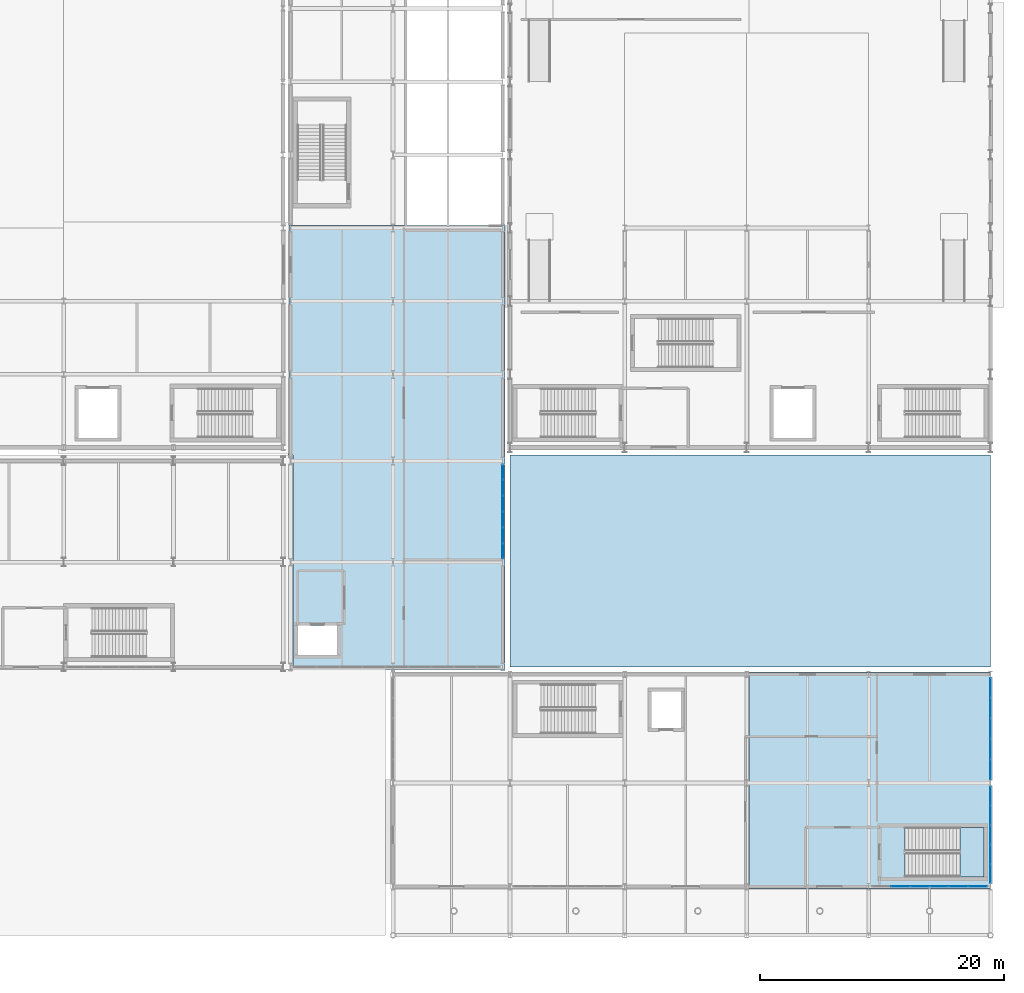
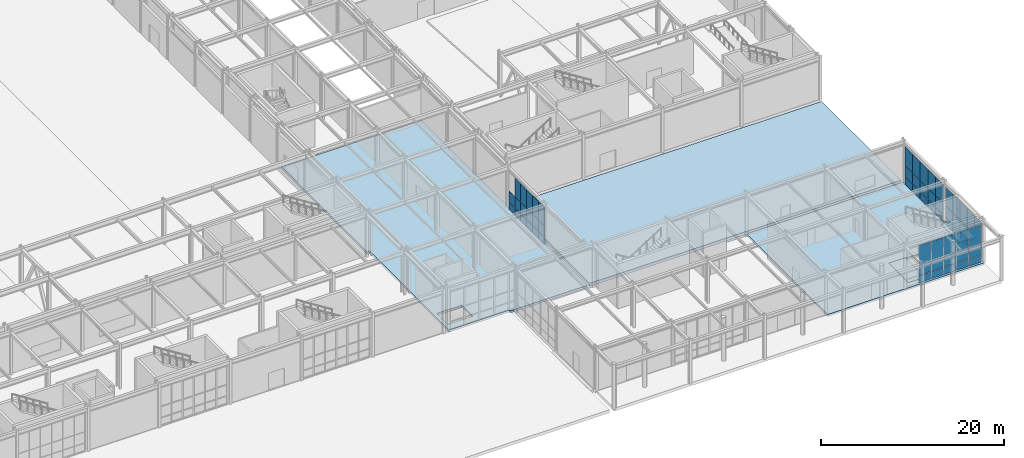
# One storey, part 112 of 146: 62 plates, 5 slabs, 5 elements without a shape of their own.
"""IFC4 building model written with IfcOpenShell, lengths in metres."""

from ifc_helpers import new_model, si_unit, direction, frame, origin, origin_2d, place, context, subcontext, project, spatial, polyline, rectangle, outline, extrude, material, layer, layer_set, type_object, element, aggregate, save


model = new_model("IFC4")

# Units and contexts
model_context = context("Model", 3, precision=1e-05, world=origin(), true_north=direction((0.0, 1.0)))
body_context = subcontext(model_context, "Body", "Model", "MODEL_VIEW")
ifc_project = project(units=[si_unit("LENGTHUNIT", "METRE"), si_unit("AREAUNIT", "SQUARE_METRE"), si_unit("VOLUMEUNIT", "CUBIC_METRE"), si_unit("PLANEANGLEUNIT", "RADIAN"), si_unit("MASSUNIT", "GRAM", prefix="KILO")], contexts=[model_context])

# Site, building, storey
site_placement = place(None, origin())
site = spatial("IfcSite", under=ifc_project, at=site_placement, CompositionType="ELEMENT")
building_placement = place(site_placement, origin())
building = spatial("IfcBuilding", under=site, at=building_placement, Name="Kaldris Quays Convention Centre", CompositionType="ELEMENT")
storey_placement = place(building_placement, origin())
storey = spatial("IfcBuildingStorey", under=building, at=storey_placement, Name="L00", CompositionType="ELEMENT", Elevation=0.0)

# Curtain wall, plates
ifc_material_1 = material(Name="Anodized aluminium AW-6060 and triple glazing", Category="aluminium")
curtain_wall_type_1 = type_object("IfcCurtainWallType", Name="UNITISED CURTAIN WALL CW01", PredefinedType="NOTDEFINED", material=ifc_material_1)
curtain_wall_1_placement = place(storey_placement, origin())
curtain_wall_1 = element("IfcCurtainWall", 1, at=curtain_wall_1_placement, inside=storey, type_object=curtain_wall_type_1, Name="L00 Unitised Curtain Wall CW01 181", PredefinedType="NOTDEFINED")
ifc_material_2 = material(Name="Triple low-E insulated glazing", Category="glass")
plate_type_1 = type_object("IfcPlateType", Name="CURTAIN GLAZING PANEL CWP5", PredefinedType="CURTAIN_PANEL", material=ifc_material_2)
plate_1_placement = place(storey_placement, frame((196.625, 20.0, 0.06005859375), z_axis=(0.0, 0.0, 1.0), x_axis=(1.0, 0.0, 0.0)))
plate_1 = element("IfcPlate", 2, at=plate_1_placement, type_object=plate_type_1, Name="CW01 panel 2.1", PredefinedType="CURTAIN_PANEL", context=body_context, shape_type="SweptSolid", body=[
    extrude(rectangle(XDim=1.5234375, YDim=0.049072265625, at=origin_2d()), origin(), (0.0, 0.0, 1.0), 0.9599609375),
])
plate_2_placement = place(storey_placement, frame((196.625, 20.0, 1.080078125), z_axis=(0.0, 0.0, 1.0), x_axis=(1.0, 0.0, 0.0)))
plate_2 = element("IfcPlate", 3, at=plate_2_placement, type_object=plate_type_1, Name="CW01 panel 2.2", PredefinedType="CURTAIN_PANEL", context=body_context, shape_type="SweptSolid", body=[
    extrude(rectangle(XDim=1.5234375, YDim=0.049072265625, at=origin_2d()), origin(), (0.0, 0.0, 1.0), 1.43994140625),
])
plate_3_placement = place(storey_placement, frame((196.625, 20.0, 2.580078125), z_axis=(0.0, 0.0, 1.0), x_axis=(1.0, 0.0, 0.0)))
plate_3 = element("IfcPlate", 4, at=plate_3_placement, type_object=plate_type_1, Name="CW01 panel 2.3", PredefinedType="CURTAIN_PANEL", context=body_context, shape_type="SweptSolid", body=[
    extrude(rectangle(XDim=1.5234375, YDim=0.049072265625, at=origin_2d()), origin(), (0.0, 0.0, 1.0), 2.4599609375),
])
plate_4_placement = place(storey_placement, frame((198.208251953125, 20.0, 0.06005859375), z_axis=(0.0, 0.0, 1.0), x_axis=(1.0, 0.0, 0.0)))
plate_4 = element("IfcPlate", 5, at=plate_4_placement, type_object=plate_type_1, Name="CW01 panel 3.1", PredefinedType="CURTAIN_PANEL", context=body_context, shape_type="SweptSolid", body=[
    extrude(rectangle(XDim=1.5234375, YDim=0.049072265625, at=origin_2d()), origin(), (0.0, 0.0, 1.0), 0.9599609375),
])
plate_5_placement = place(storey_placement, frame((198.208251953125, 20.0, 1.080078125), z_axis=(0.0, 0.0, 1.0), x_axis=(1.0, 0.0, 0.0)))
plate_5 = element("IfcPlate", 6, at=plate_5_placement, type_object=plate_type_1, Name="CW01 panel 3.2", PredefinedType="CURTAIN_PANEL", context=body_context, shape_type="SweptSolid", body=[
    extrude(rectangle(XDim=1.5234375, YDim=0.049072265625, at=origin_2d()), origin(), (0.0, 0.0, 1.0), 1.43994140625),
])
plate_6_placement = place(storey_placement, frame((198.208251953125, 20.0, 2.580078125), z_axis=(0.0, 0.0, 1.0), x_axis=(1.0, 0.0, 0.0)))
plate_6 = element("IfcPlate", 7, at=plate_6_placement, type_object=plate_type_1, Name="CW01 panel 3.3", PredefinedType="CURTAIN_PANEL", context=body_context, shape_type="SweptSolid", body=[
    extrude(rectangle(XDim=1.5234375, YDim=0.049072265625, at=origin_2d()), origin(), (0.0, 0.0, 1.0), 2.4599609375),
])
plate_7_placement = place(storey_placement, frame((199.791748046875, 20.0, 0.06005859375), z_axis=(0.0, 0.0, 1.0), x_axis=(1.0, 0.0, 0.0)))
plate_7 = element("IfcPlate", 8, at=plate_7_placement, type_object=plate_type_1, Name="CW01 panel 4.1", PredefinedType="CURTAIN_PANEL", context=body_context, shape_type="SweptSolid", body=[
    extrude(rectangle(XDim=1.5234375, YDim=0.049072265625, at=origin_2d()), origin(), (0.0, 0.0, 1.0), 0.9599609375),
])
plate_8_placement = place(storey_placement, frame((199.791748046875, 20.0, 1.080078125), z_axis=(0.0, 0.0, 1.0), x_axis=(1.0, 0.0, 0.0)))
plate_8 = element("IfcPlate", 9, at=plate_8_placement, type_object=plate_type_1, Name="CW01 panel 4.2", PredefinedType="CURTAIN_PANEL", context=body_context, shape_type="SweptSolid", body=[
    extrude(rectangle(XDim=1.5234375, YDim=0.049072265625, at=origin_2d()), origin(), (0.0, 0.0, 1.0), 1.43994140625),
])
plate_9_placement = place(storey_placement, frame((199.791748046875, 20.0, 2.580078125), z_axis=(0.0, 0.0, 1.0), x_axis=(1.0, 0.0, 0.0)))
plate_9 = element("IfcPlate", 10, at=plate_9_placement, type_object=plate_type_1, Name="CW01 panel 4.3", PredefinedType="CURTAIN_PANEL", context=body_context, shape_type="SweptSolid", body=[
    extrude(rectangle(XDim=1.5234375, YDim=0.049072265625, at=origin_2d()), origin(), (0.0, 0.0, 1.0), 2.4599609375),
])
plate_10_placement = place(storey_placement, frame((201.375, 20.0, 0.06005859375), z_axis=(0.0, 0.0, 1.0), x_axis=(1.0, 0.0, 0.0)))
plate_10 = element("IfcPlate", 11, at=plate_10_placement, type_object=plate_type_1, Name="CW01 panel 5.1", PredefinedType="CURTAIN_PANEL", context=body_context, shape_type="SweptSolid", body=[
    extrude(rectangle(XDim=1.5234375, YDim=0.049072265625, at=origin_2d()), origin(), (0.0, 0.0, 1.0), 0.9599609375),
])
plate_11_placement = place(storey_placement, frame((201.375, 20.0, 1.080078125), z_axis=(0.0, 0.0, 1.0), x_axis=(1.0, 0.0, 0.0)))
plate_11 = element("IfcPlate", 12, at=plate_11_placement, type_object=plate_type_1, Name="CW01 panel 5.2", PredefinedType="CURTAIN_PANEL", context=body_context, shape_type="SweptSolid", body=[
    extrude(rectangle(XDim=1.5234375, YDim=0.049072265625, at=origin_2d()), origin(), (0.0, 0.0, 1.0), 1.43994140625),
])
plate_12_placement = place(storey_placement, frame((201.375, 20.0, 2.580078125), z_axis=(0.0, 0.0, 1.0), x_axis=(1.0, 0.0, 0.0)))
plate_12 = element("IfcPlate", 13, at=plate_12_placement, type_object=plate_type_1, Name="CW01 panel 5.3", PredefinedType="CURTAIN_PANEL", context=body_context, shape_type="SweptSolid", body=[
    extrude(rectangle(XDim=1.5234375, YDim=0.049072265625, at=origin_2d()), origin(), (0.0, 0.0, 1.0), 2.4599609375),
])
plate_13_placement = place(storey_placement, frame((202.943359375, 20.0, 0.06005859375), z_axis=(0.0, 0.0, 1.0), x_axis=(1.0, 0.0, 0.0)))
plate_13 = element("IfcPlate", 14, at=plate_13_placement, type_object=plate_type_1, Name="CW01 panel 6.1", PredefinedType="CURTAIN_PANEL", context=body_context, shape_type="SweptSolid", body=[
    extrude(rectangle(XDim=1.493408203125, YDim=0.049072265625, at=origin_2d()), origin(), (0.0, 0.0, 1.0), 0.9599609375),
])
plate_14_placement = place(storey_placement, frame((202.943359375, 20.0, 1.080078125), z_axis=(0.0, 0.0, 1.0), x_axis=(1.0, 0.0, 0.0)))
plate_14 = element("IfcPlate", 15, at=plate_14_placement, type_object=plate_type_1, Name="CW01 panel 6.2", PredefinedType="CURTAIN_PANEL", context=body_context, shape_type="SweptSolid", body=[
    extrude(rectangle(XDim=1.493408203125, YDim=0.049072265625, at=origin_2d()), origin(), (0.0, 0.0, 1.0), 1.43994140625),
])
plate_15_placement = place(storey_placement, frame((202.943359375, 20.0, 2.580078125), z_axis=(0.0, 0.0, 1.0), x_axis=(1.0, 0.0, 0.0)))
plate_15 = element("IfcPlate", 16, at=plate_15_placement, type_object=plate_type_1, Name="CW01 panel 6.3", PredefinedType="CURTAIN_PANEL", context=body_context, shape_type="SweptSolid", body=[
    extrude(rectangle(XDim=1.493408203125, YDim=0.049072265625, at=origin_2d()), origin(), (0.0, 0.0, 1.0), 2.4599609375),
])
aggregate(curtain_wall_1, [plate_1, plate_2, plate_3, plate_4, plate_5, plate_6, plate_7, plate_8, plate_9, plate_10, plate_11, plate_12, plate_13, plate_14, plate_15])

curtain_wall_type_2 = type_object("IfcCurtainWallType", Name="UNITISED CURTAIN WALL CW02", PredefinedType="NOTDEFINED", material=ifc_material_1)
curtain_wall_2_placement = place(storey_placement, origin())
curtain_wall_2 = element("IfcCurtainWall", 17, at=curtain_wall_2_placement, inside=storey, type_object=curtain_wall_type_2, Name="L00 Unitised Curtain Wall CW02 182", PredefinedType="NOTDEFINED")
plate_type_2 = type_object("IfcPlateType", Name="CURTAIN GLAZING PANEL CWP6", PredefinedType="CURTAIN_PANEL", material=ifc_material_2)
plate_16_placement = place(storey_placement, frame((204.0, 21.06494140625, 0.06005859375), z_axis=(0.0, 0.0, 1.0), x_axis=(0.0, 1.0, 0.0)))
plate_16 = element("IfcPlate", 18, at=plate_16_placement, type_object=plate_type_2, Name="CW02 panel 1.1", PredefinedType="CURTAIN_PANEL", context=body_context, shape_type="SweptSolid", body=[
    extrude(rectangle(XDim=1.510009765625, YDim=0.053955078125, at=origin_2d()), origin(), (0.0, 0.0, 1.0), 0.9599609375),
])
plate_17_placement = place(storey_placement, frame((204.0, 21.06494140625, 1.080078125), z_axis=(0.0, 0.0, 1.0), x_axis=(0.0, 1.0, 0.0)))
plate_17 = element("IfcPlate", 19, at=plate_17_placement, type_object=plate_type_2, Name="CW02 panel 1.2", PredefinedType="CURTAIN_PANEL", context=body_context, shape_type="SweptSolid", body=[
    extrude(rectangle(XDim=1.510009765625, YDim=0.053955078125, at=origin_2d()), origin(), (0.0, 0.0, 1.0), 1.43994140625),
])
plate_18_placement = place(storey_placement, frame((204.0, 21.06494140625, 2.580078125), z_axis=(0.0, 0.0, 1.0), x_axis=(0.0, 1.0, 0.0)))
plate_18 = element("IfcPlate", 20, at=plate_18_placement, type_object=plate_type_2, Name="CW02 panel 1.3", PredefinedType="CURTAIN_PANEL", context=body_context, shape_type="SweptSolid", body=[
    extrude(rectangle(XDim=1.510009765625, YDim=0.053955078125, at=origin_2d()), origin(), (0.0, 0.0, 1.0), 2.4599609375),
])
plate_19_placement = place(storey_placement, frame((204.0, 22.64990234375, 0.06005859375), z_axis=(0.0, 0.0, 1.0), x_axis=(0.0, 1.0, 0.0)))
plate_19 = element("IfcPlate", 21, at=plate_19_placement, type_object=plate_type_2, Name="CW02 panel 2.1", PredefinedType="CURTAIN_PANEL", context=body_context, shape_type="SweptSolid", body=[
    extrude(rectangle(XDim=1.5400390625, YDim=0.053955078125, at=origin_2d()), origin(), (0.0, 0.0, 1.0), 0.9599609375),
])
plate_20_placement = place(storey_placement, frame((204.0, 22.64990234375, 1.080078125), z_axis=(0.0, 0.0, 1.0), x_axis=(0.0, 1.0, 0.0)))
plate_20 = element("IfcPlate", 22, at=plate_20_placement, type_object=plate_type_2, Name="CW02 panel 2.2", PredefinedType="CURTAIN_PANEL", context=body_context, shape_type="SweptSolid", body=[
    extrude(rectangle(XDim=1.5400390625, YDim=0.053955078125, at=origin_2d()), origin(), (0.0, 0.0, 1.0), 1.43994140625),
])
plate_21_placement = place(storey_placement, frame((204.0, 22.64990234375, 2.580078125), z_axis=(0.0, 0.0, 1.0), x_axis=(0.0, 1.0, 0.0)))
plate_21 = element("IfcPlate", 23, at=plate_21_placement, type_object=plate_type_2, Name="CW02 panel 2.3", PredefinedType="CURTAIN_PANEL", context=body_context, shape_type="SweptSolid", body=[
    extrude(rectangle(XDim=1.5400390625, YDim=0.053955078125, at=origin_2d()), origin(), (0.0, 0.0, 1.0), 2.4599609375),
])
plate_22_placement = place(storey_placement, frame((204.0, 24.25, 0.06005859375), z_axis=(0.0, 0.0, 1.0), x_axis=(0.0, 1.0, 0.0)))
plate_22 = element("IfcPlate", 24, at=plate_22_placement, type_object=plate_type_2, Name="CW02 panel 3.1", PredefinedType="CURTAIN_PANEL", context=body_context, shape_type="SweptSolid", body=[
    extrude(rectangle(XDim=1.5400390625, YDim=0.053955078125, at=origin_2d()), origin(), (0.0, 0.0, 1.0), 0.9599609375),
])
plate_23_placement = place(storey_placement, frame((204.0, 24.25, 1.080078125), z_axis=(0.0, 0.0, 1.0), x_axis=(0.0, 1.0, 0.0)))
plate_23 = element("IfcPlate", 25, at=plate_23_placement, type_object=plate_type_2, Name="CW02 panel 3.2", PredefinedType="CURTAIN_PANEL", context=body_context, shape_type="SweptSolid", body=[
    extrude(rectangle(XDim=1.5400390625, YDim=0.053955078125, at=origin_2d()), origin(), (0.0, 0.0, 1.0), 1.43994140625),
])
plate_24_placement = place(storey_placement, frame((204.0, 24.25, 2.580078125), z_axis=(0.0, 0.0, 1.0), x_axis=(0.0, 1.0, 0.0)))
plate_24 = element("IfcPlate", 26, at=plate_24_placement, type_object=plate_type_2, Name="CW02 panel 3.3", PredefinedType="CURTAIN_PANEL", context=body_context, shape_type="SweptSolid", body=[
    extrude(rectangle(XDim=1.5400390625, YDim=0.053955078125, at=origin_2d()), origin(), (0.0, 0.0, 1.0), 2.4599609375),
])
plate_25_placement = place(storey_placement, frame((204.0, 25.85009765625, 0.06005859375), z_axis=(0.0, 0.0, 1.0), x_axis=(0.0, 1.0, 0.0)))
plate_25 = element("IfcPlate", 27, at=plate_25_placement, type_object=plate_type_2, Name="CW02 panel 4.1", PredefinedType="CURTAIN_PANEL", context=body_context, shape_type="SweptSolid", body=[
    extrude(rectangle(XDim=1.5400390625, YDim=0.053955078125, at=origin_2d()), origin(), (0.0, 0.0, 1.0), 0.9599609375),
])
plate_26_placement = place(storey_placement, frame((204.0, 25.85009765625, 1.080078125), z_axis=(0.0, 0.0, 1.0), x_axis=(0.0, 1.0, 0.0)))
plate_26 = element("IfcPlate", 28, at=plate_26_placement, type_object=plate_type_2, Name="CW02 panel 4.2", PredefinedType="CURTAIN_PANEL", context=body_context, shape_type="SweptSolid", body=[
    extrude(rectangle(XDim=1.5400390625, YDim=0.053955078125, at=origin_2d()), origin(), (0.0, 0.0, 1.0), 1.43994140625),
])
plate_27_placement = place(storey_placement, frame((204.0, 25.85009765625, 2.580078125), z_axis=(0.0, 0.0, 1.0), x_axis=(0.0, 1.0, 0.0)))
plate_27 = element("IfcPlate", 29, at=plate_27_placement, type_object=plate_type_2, Name="CW02 panel 4.3", PredefinedType="CURTAIN_PANEL", context=body_context, shape_type="SweptSolid", body=[
    extrude(rectangle(XDim=1.5400390625, YDim=0.053955078125, at=origin_2d()), origin(), (0.0, 0.0, 1.0), 2.4599609375),
])
plate_28_placement = place(storey_placement, frame((204.0, 27.43505859375, 0.06005859375), z_axis=(0.0, 0.0, 1.0), x_axis=(0.0, 1.0, 0.0)))
plate_28 = element("IfcPlate", 30, at=plate_28_placement, type_object=plate_type_2, Name="CW02 panel 5.1", PredefinedType="CURTAIN_PANEL", context=body_context, shape_type="SweptSolid", body=[
    extrude(rectangle(XDim=1.510009765625, YDim=0.053955078125, at=origin_2d()), origin(), (0.0, 0.0, 1.0), 0.9599609375),
])
plate_29_placement = place(storey_placement, frame((204.0, 27.43505859375, 1.080078125), z_axis=(0.0, 0.0, 1.0), x_axis=(0.0, 1.0, 0.0)))
plate_29 = element("IfcPlate", 31, at=plate_29_placement, type_object=plate_type_2, Name="CW02 panel 5.2", PredefinedType="CURTAIN_PANEL", context=body_context, shape_type="SweptSolid", body=[
    extrude(rectangle(XDim=1.510009765625, YDim=0.053955078125, at=origin_2d()), origin(), (0.0, 0.0, 1.0), 1.43994140625),
])
plate_30_placement = place(storey_placement, frame((204.0, 27.43505859375, 2.580078125), z_axis=(0.0, 0.0, 1.0), x_axis=(0.0, 1.0, 0.0)))
plate_30 = element("IfcPlate", 32, at=plate_30_placement, type_object=plate_type_2, Name="CW02 panel 5.3", PredefinedType="CURTAIN_PANEL", context=body_context, shape_type="SweptSolid", body=[
    extrude(rectangle(XDim=1.510009765625, YDim=0.053955078125, at=origin_2d()), origin(), (0.0, 0.0, 1.0), 2.4599609375),
])
aggregate(curtain_wall_2, [plate_16, plate_17, plate_18, plate_19, plate_20, plate_21, plate_22, plate_23, plate_24, plate_25, plate_26, plate_27, plate_28, plate_29, plate_30])

curtain_wall_type_3 = type_object("IfcCurtainWallType", Name="UNITISED CURTAIN WALL CW04", PredefinedType="NOTDEFINED", material=ifc_material_1)
curtain_wall_3_placement = place(storey_placement, origin())
curtain_wall_3 = element("IfcCurtainWall", 33, at=curtain_wall_3_placement, inside=storey, type_object=curtain_wall_type_3, Name="L00 Unitised Curtain Wall CW04 136", PredefinedType="NOTDEFINED")
plate_type_3 = type_object("IfcPlateType", Name="CURTAIN GLAZING PANEL CWP8", PredefinedType="CURTAIN_PANEL", material=ifc_material_2)
plate_31_placement = place(storey_placement, frame((164.0, 47.514892578125, 0.06005859375), z_axis=(0.0, 0.0, 1.0), x_axis=(0.0, 1.0, 0.0)))
plate_31 = element("IfcPlate", 34, at=plate_31_placement, type_object=plate_type_3, Name="CW04 panel 1.1", PredefinedType="CURTAIN_PANEL", context=body_context, shape_type="SweptSolid", body=[
    extrude(rectangle(XDim=1.2099609375, YDim=0.06396484375, at=origin_2d()), origin(), (0.0, 0.0, 1.0), 0.9599609375),
])
plate_32_placement = place(storey_placement, frame((164.0, 47.514892578125, 1.080078125), z_axis=(0.0, 0.0, 1.0), x_axis=(0.0, 1.0, 0.0)))
plate_32 = element("IfcPlate", 35, at=plate_32_placement, type_object=plate_type_3, Name="CW04 panel 1.2", PredefinedType="CURTAIN_PANEL", context=body_context, shape_type="SweptSolid", body=[
    extrude(rectangle(XDim=1.2099609375, YDim=0.06396484375, at=origin_2d()), origin(), (0.0, 0.0, 1.0), 1.43896484375),
])
plate_33_placement = place(storey_placement, frame((164.0, 47.514892578125, 2.5791015625), z_axis=(0.0, 0.0, 1.0), x_axis=(0.0, 1.0, 0.0)))
plate_33 = element("IfcPlate", 36, at=plate_33_placement, type_object=plate_type_3, Name="CW04 panel 1.3", PredefinedType="CURTAIN_PANEL", context=body_context, shape_type="SweptSolid", body=[
    extrude(rectangle(XDim=1.2099609375, YDim=0.06396484375, at=origin_2d()), origin(), (0.0, 0.0, 1.0), 2.458984375),
])
plate_34_placement = place(storey_placement, frame((164.0, 48.800048828125, 0.06005859375), z_axis=(0.0, 0.0, 1.0), x_axis=(0.0, 1.0, 0.0)))
plate_34 = element("IfcPlate", 37, at=plate_34_placement, type_object=plate_type_3, Name="CW04 panel 2.1", PredefinedType="CURTAIN_PANEL", context=body_context, shape_type="SweptSolid", body=[
    extrude(rectangle(XDim=1.239990234375, YDim=0.06396484375, at=origin_2d()), origin(), (0.0, 0.0, 1.0), 0.9599609375),
])
plate_35_placement = place(storey_placement, frame((164.0, 48.800048828125, 1.080078125), z_axis=(0.0, 0.0, 1.0), x_axis=(0.0, 1.0, 0.0)))
plate_35 = element("IfcPlate", 38, at=plate_35_placement, type_object=plate_type_3, Name="CW04 panel 2.2", PredefinedType="CURTAIN_PANEL", context=body_context, shape_type="SweptSolid", body=[
    extrude(rectangle(XDim=1.239990234375, YDim=0.06396484375, at=origin_2d()), origin(), (0.0, 0.0, 1.0), 1.43896484375),
])
plate_36_placement = place(storey_placement, frame((164.0, 48.800048828125, 2.5791015625), z_axis=(0.0, 0.0, 1.0), x_axis=(0.0, 1.0, 0.0)))
plate_36 = element("IfcPlate", 39, at=plate_36_placement, type_object=plate_type_3, Name="CW04 panel 2.3", PredefinedType="CURTAIN_PANEL", context=body_context, shape_type="SweptSolid", body=[
    extrude(rectangle(XDim=1.239990234375, YDim=0.06396484375, at=origin_2d()), origin(), (0.0, 0.0, 1.0), 2.458984375),
])
plate_37_placement = place(storey_placement, frame((164.0, 50.10009765625, 0.06005859375), z_axis=(0.0, 0.0, 1.0), x_axis=(0.0, 1.0, 0.0)))
plate_37 = element("IfcPlate", 40, at=plate_37_placement, type_object=plate_type_3, Name="CW04 panel 3.1", PredefinedType="CURTAIN_PANEL", context=body_context, shape_type="SweptSolid", body=[
    extrude(rectangle(XDim=1.239990234375, YDim=0.06396484375, at=origin_2d()), origin(), (0.0, 0.0, 1.0), 0.9599609375),
])
plate_38_placement = place(storey_placement, frame((164.0, 50.10009765625, 1.080078125), z_axis=(0.0, 0.0, 1.0), x_axis=(0.0, 1.0, 0.0)))
plate_38 = element("IfcPlate", 41, at=plate_38_placement, type_object=plate_type_3, Name="CW04 panel 3.2", PredefinedType="CURTAIN_PANEL", context=body_context, shape_type="SweptSolid", body=[
    extrude(rectangle(XDim=1.239990234375, YDim=0.06396484375, at=origin_2d()), origin(), (0.0, 0.0, 1.0), 1.43896484375),
])
plate_39_placement = place(storey_placement, frame((164.0, 50.10009765625, 2.5791015625), z_axis=(0.0, 0.0, 1.0), x_axis=(0.0, 1.0, 0.0)))
plate_39 = element("IfcPlate", 42, at=plate_39_placement, type_object=plate_type_3, Name="CW04 panel 3.3", PredefinedType="CURTAIN_PANEL", context=body_context, shape_type="SweptSolid", body=[
    extrude(rectangle(XDim=1.239990234375, YDim=0.06396484375, at=origin_2d()), origin(), (0.0, 0.0, 1.0), 2.458984375),
])
plate_40_placement = place(storey_placement, frame((164.0, 51.39990234375, 0.06005859375), z_axis=(0.0, 0.0, 1.0), x_axis=(0.0, 1.0, 0.0)))
plate_40 = element("IfcPlate", 43, at=plate_40_placement, type_object=plate_type_3, Name="CW04 panel 4.1", PredefinedType="CURTAIN_PANEL", context=body_context, shape_type="SweptSolid", body=[
    extrude(rectangle(XDim=1.239990234375, YDim=0.06396484375, at=origin_2d()), origin(), (0.0, 0.0, 1.0), 0.9599609375),
])
plate_41_placement = place(storey_placement, frame((164.0, 51.39990234375, 1.080078125), z_axis=(0.0, 0.0, 1.0), x_axis=(0.0, 1.0, 0.0)))
plate_41 = element("IfcPlate", 44, at=plate_41_placement, type_object=plate_type_3, Name="CW04 panel 4.2", PredefinedType="CURTAIN_PANEL", context=body_context, shape_type="SweptSolid", body=[
    extrude(rectangle(XDim=1.239990234375, YDim=0.06396484375, at=origin_2d()), origin(), (0.0, 0.0, 1.0), 1.43896484375),
])
plate_42_placement = place(storey_placement, frame((164.0, 51.39990234375, 2.5791015625), z_axis=(0.0, 0.0, 1.0), x_axis=(0.0, 1.0, 0.0)))
plate_42 = element("IfcPlate", 45, at=plate_42_placement, type_object=plate_type_3, Name="CW04 panel 4.3", PredefinedType="CURTAIN_PANEL", context=body_context, shape_type="SweptSolid", body=[
    extrude(rectangle(XDim=1.239990234375, YDim=0.06396484375, at=origin_2d()), origin(), (0.0, 0.0, 1.0), 2.458984375),
])
plate_43_placement = place(storey_placement, frame((164.0, 52.699951171875, 0.06005859375), z_axis=(0.0, 0.0, 1.0), x_axis=(0.0, 1.0, 0.0)))
plate_43 = element("IfcPlate", 46, at=plate_43_placement, type_object=plate_type_3, Name="CW04 panel 5.1", PredefinedType="CURTAIN_PANEL", context=body_context, shape_type="SweptSolid", body=[
    extrude(rectangle(XDim=1.239990234375, YDim=0.06396484375, at=origin_2d()), origin(), (0.0, 0.0, 1.0), 0.9599609375),
])
plate_44_placement = place(storey_placement, frame((164.0, 52.699951171875, 1.080078125), z_axis=(0.0, 0.0, 1.0), x_axis=(0.0, 1.0, 0.0)))
plate_44 = element("IfcPlate", 47, at=plate_44_placement, type_object=plate_type_3, Name="CW04 panel 5.2", PredefinedType="CURTAIN_PANEL", context=body_context, shape_type="SweptSolid", body=[
    extrude(rectangle(XDim=1.239990234375, YDim=0.06396484375, at=origin_2d()), origin(), (0.0, 0.0, 1.0), 1.43896484375),
])
plate_45_placement = place(storey_placement, frame((164.0, 52.699951171875, 2.5791015625), z_axis=(0.0, 0.0, 1.0), x_axis=(0.0, 1.0, 0.0)))
plate_45 = element("IfcPlate", 48, at=plate_45_placement, type_object=plate_type_3, Name="CW04 panel 5.3", PredefinedType="CURTAIN_PANEL", context=body_context, shape_type="SweptSolid", body=[
    extrude(rectangle(XDim=1.239990234375, YDim=0.06396484375, at=origin_2d()), origin(), (0.0, 0.0, 1.0), 2.458984375),
])
plate_46_placement = place(storey_placement, frame((164.0, 53.985107421875, 0.06005859375), z_axis=(0.0, 0.0, 1.0), x_axis=(0.0, 1.0, 0.0)))
plate_46 = element("IfcPlate", 49, at=plate_46_placement, type_object=plate_type_3, Name="CW04 panel 6.1", PredefinedType="CURTAIN_PANEL", context=body_context, shape_type="SweptSolid", body=[
    extrude(rectangle(XDim=1.2099609375, YDim=0.06396484375, at=origin_2d()), origin(), (0.0, 0.0, 1.0), 0.9599609375),
])
plate_47_placement = place(storey_placement, frame((164.0, 53.985107421875, 1.080078125), z_axis=(0.0, 0.0, 1.0), x_axis=(0.0, 1.0, 0.0)))
plate_47 = element("IfcPlate", 50, at=plate_47_placement, type_object=plate_type_3, Name="CW04 panel 6.2", PredefinedType="CURTAIN_PANEL", context=body_context, shape_type="SweptSolid", body=[
    extrude(rectangle(XDim=1.2099609375, YDim=0.06396484375, at=origin_2d()), origin(), (0.0, 0.0, 1.0), 1.43896484375),
])
aggregate(curtain_wall_3, [plate_31, plate_32, plate_33, plate_34, plate_35, plate_36, plate_37, plate_38, plate_39, plate_40, plate_41, plate_42, plate_43, plate_44, plate_45, plate_46, plate_47])

curtain_wall_4_placement = place(storey_placement, origin())
curtain_wall_4 = element("IfcCurtainWall", 51, at=curtain_wall_4_placement, inside=storey, type_object=curtain_wall_type_2, Name="L00 Unitised Curtain Wall CW02 184", PredefinedType="NOTDEFINED")
plate_48_placement = place(storey_placement, frame((204.0, 29.60498046875, 0.06005859375), z_axis=(0.0, 0.0, 1.0), x_axis=(0.0, 1.0, 0.0)))
plate_48 = element("IfcPlate", 52, at=plate_48_placement, type_object=plate_type_3, Name="CW02 panel 1.1", PredefinedType="CURTAIN_PANEL", context=body_context, shape_type="SweptSolid", body=[
    extrude(rectangle(XDim=1.590087890625, YDim=0.06396484375, at=origin_2d()), origin(), (0.0, 0.0, 1.0), 0.9599609375),
])
plate_49_placement = place(storey_placement, frame((204.0, 29.60498046875, 1.080078125), z_axis=(0.0, 0.0, 1.0), x_axis=(0.0, 1.0, 0.0)))
plate_49 = element("IfcPlate", 53, at=plate_49_placement, type_object=plate_type_3, Name="CW02 panel 1.2", PredefinedType="CURTAIN_PANEL", context=body_context, shape_type="SweptSolid", body=[
    extrude(rectangle(XDim=1.590087890625, YDim=0.06396484375, at=origin_2d()), origin(), (0.0, 0.0, 1.0), 1.43994140625),
])
plate_50_placement = place(storey_placement, frame((204.0, 29.60498046875, 2.580078125), z_axis=(0.0, 0.0, 1.0), x_axis=(0.0, 1.0, 0.0)))
plate_50 = element("IfcPlate", 54, at=plate_50_placement, type_object=plate_type_3, Name="CW02 panel 1.3", PredefinedType="CURTAIN_PANEL", context=body_context, shape_type="SweptSolid", body=[
    extrude(rectangle(XDim=1.590087890625, YDim=0.06396484375, at=origin_2d()), origin(), (0.0, 0.0, 1.0), 2.4599609375),
])
plate_51_placement = place(storey_placement, frame((204.0, 31.27001953125, 0.06005859375), z_axis=(0.0, 0.0, 1.0), x_axis=(0.0, 1.0, 0.0)))
plate_51 = element("IfcPlate", 55, at=plate_51_placement, type_object=plate_type_3, Name="CW02 panel 2.1", PredefinedType="CURTAIN_PANEL", context=body_context, shape_type="SweptSolid", body=[
    extrude(rectangle(XDim=1.6201171875, YDim=0.06396484375, at=origin_2d()), origin(), (0.0, 0.0, 1.0), 0.9599609375),
])
plate_52_placement = place(storey_placement, frame((204.0, 31.27001953125, 1.080078125), z_axis=(0.0, 0.0, 1.0), x_axis=(0.0, 1.0, 0.0)))
plate_52 = element("IfcPlate", 56, at=plate_52_placement, type_object=plate_type_3, Name="CW02 panel 2.2", PredefinedType="CURTAIN_PANEL", context=body_context, shape_type="SweptSolid", body=[
    extrude(rectangle(XDim=1.6201171875, YDim=0.06396484375, at=origin_2d()), origin(), (0.0, 0.0, 1.0), 1.43994140625),
])
plate_53_placement = place(storey_placement, frame((204.0, 31.27001953125, 2.580078125), z_axis=(0.0, 0.0, 1.0), x_axis=(0.0, 1.0, 0.0)))
plate_53 = element("IfcPlate", 57, at=plate_53_placement, type_object=plate_type_3, Name="CW02 panel 2.3", PredefinedType="CURTAIN_PANEL", context=body_context, shape_type="SweptSolid", body=[
    extrude(rectangle(XDim=1.6201171875, YDim=0.06396484375, at=origin_2d()), origin(), (0.0, 0.0, 1.0), 2.4599609375),
])
plate_54_placement = place(storey_placement, frame((204.0, 32.949951171875, 0.06005859375), z_axis=(0.0, 0.0, 1.0), x_axis=(0.0, 1.0, 0.0)))
plate_54 = element("IfcPlate", 58, at=plate_54_placement, type_object=plate_type_3, Name="CW02 panel 3.1", PredefinedType="CURTAIN_PANEL", context=body_context, shape_type="SweptSolid", body=[
    extrude(rectangle(XDim=1.6201171875, YDim=0.06396484375, at=origin_2d()), origin(), (0.0, 0.0, 1.0), 0.9599609375),
])
plate_55_placement = place(storey_placement, frame((204.0, 32.949951171875, 1.080078125), z_axis=(0.0, 0.0, 1.0), x_axis=(0.0, 1.0, 0.0)))
plate_55 = element("IfcPlate", 59, at=plate_55_placement, type_object=plate_type_3, Name="CW02 panel 3.2", PredefinedType="CURTAIN_PANEL", context=body_context, shape_type="SweptSolid", body=[
    extrude(rectangle(XDim=1.6201171875, YDim=0.06396484375, at=origin_2d()), origin(), (0.0, 0.0, 1.0), 1.43994140625),
])
plate_56_placement = place(storey_placement, frame((204.0, 32.949951171875, 2.580078125), z_axis=(0.0, 0.0, 1.0), x_axis=(0.0, 1.0, 0.0)))
plate_56 = element("IfcPlate", 60, at=plate_56_placement, type_object=plate_type_3, Name="CW02 panel 3.3", PredefinedType="CURTAIN_PANEL", context=body_context, shape_type="SweptSolid", body=[
    extrude(rectangle(XDim=1.6201171875, YDim=0.06396484375, at=origin_2d()), origin(), (0.0, 0.0, 1.0), 2.4599609375),
])
plate_57_placement = place(storey_placement, frame((204.0, 34.6298828125, 0.06005859375), z_axis=(0.0, 0.0, 1.0), x_axis=(0.0, 1.0, 0.0)))
plate_57 = element("IfcPlate", 61, at=plate_57_placement, type_object=plate_type_3, Name="CW02 panel 4.1", PredefinedType="CURTAIN_PANEL", context=body_context, shape_type="SweptSolid", body=[
    extrude(rectangle(XDim=1.6201171875, YDim=0.06396484375, at=origin_2d()), origin(), (0.0, 0.0, 1.0), 0.9599609375),
])
plate_58_placement = place(storey_placement, frame((204.0, 34.6298828125, 1.080078125), z_axis=(0.0, 0.0, 1.0), x_axis=(0.0, 1.0, 0.0)))
plate_58 = element("IfcPlate", 62, at=plate_58_placement, type_object=plate_type_3, Name="CW02 panel 4.2", PredefinedType="CURTAIN_PANEL", context=body_context, shape_type="SweptSolid", body=[
    extrude(rectangle(XDim=1.6201171875, YDim=0.06396484375, at=origin_2d()), origin(), (0.0, 0.0, 1.0), 1.43994140625),
])
plate_59_placement = place(storey_placement, frame((204.0, 34.6298828125, 2.580078125), z_axis=(0.0, 0.0, 1.0), x_axis=(0.0, 1.0, 0.0)))
plate_59 = element("IfcPlate", 63, at=plate_59_placement, type_object=plate_type_3, Name="CW02 panel 4.3", PredefinedType="CURTAIN_PANEL", context=body_context, shape_type="SweptSolid", body=[
    extrude(rectangle(XDim=1.6201171875, YDim=0.06396484375, at=origin_2d()), origin(), (0.0, 0.0, 1.0), 2.4599609375),
])
plate_60_placement = place(storey_placement, frame((204.0, 36.294921875, 0.06005859375), z_axis=(0.0, 0.0, 1.0), x_axis=(0.0, 1.0, 0.0)))
plate_60 = element("IfcPlate", 64, at=plate_60_placement, type_object=plate_type_3, Name="CW02 panel 5.1", PredefinedType="CURTAIN_PANEL", context=body_context, shape_type="SweptSolid", body=[
    extrude(rectangle(XDim=1.590087890625, YDim=0.06396484375, at=origin_2d()), origin(), (0.0, 0.0, 1.0), 0.9599609375),
])
plate_61_placement = place(storey_placement, frame((204.0, 36.294921875, 1.080078125), z_axis=(0.0, 0.0, 1.0), x_axis=(0.0, 1.0, 0.0)))
plate_61 = element("IfcPlate", 65, at=plate_61_placement, type_object=plate_type_3, Name="CW02 panel 5.2", PredefinedType="CURTAIN_PANEL", context=body_context, shape_type="SweptSolid", body=[
    extrude(rectangle(XDim=1.590087890625, YDim=0.06396484375, at=origin_2d()), origin(), (0.0, 0.0, 1.0), 1.43994140625),
])
plate_62_placement = place(storey_placement, frame((204.0, 36.294921875, 2.580078125), z_axis=(0.0, 0.0, 1.0), x_axis=(0.0, 1.0, 0.0)))
plate_62 = element("IfcPlate", 66, at=plate_62_placement, type_object=plate_type_3, Name="CW02 panel 5.3", PredefinedType="CURTAIN_PANEL", context=body_context, shape_type="SweptSolid", body=[
    extrude(rectangle(XDim=1.590087890625, YDim=0.06396484375, at=origin_2d()), origin(), (0.0, 0.0, 1.0), 2.4599609375),
])
aggregate(curtain_wall_4, [plate_48, plate_49, plate_50, plate_51, plate_52, plate_53, plate_54, plate_55, plate_56, plate_57, plate_58, plate_59, plate_60, plate_61, plate_62])

# Stair, slab
ifc_material_3 = material(Name="Concrete C35/45", Category="concrete")
stair_type = type_object("IfcStairType", Name="DOGLEG ESCAPE STAIR STF2", PredefinedType="TWO_STRAIGHT_RUN_STAIR", material=ifc_material_3)
stair_placement = place(storey_placement, origin())
stair = element("IfcStair", 67, at=stair_placement, inside=storey, type_object=stair_type, Name="L00 Escape Stair ST16", PredefinedType="TWO_STRAIGHT_RUN_STAIR")
ifc_layer_1 = layer(ifc_material_3, 0.205078125)
ifc_layer_set_1 = layer_set([ifc_layer_1], Name="Concrete C35/45")
slab_type_1 = type_object("IfcSlabType", Name="STAIR LANDING SLAB LS01", PredefinedType="LANDING", material=ifc_layer_set_1)
slab_1_placement = place(storey_placement, frame((0.0, 0.0, 2.794921875)))
slab_1 = element("IfcSlab", 68, at=slab_1_placement, type_object=slab_type_1, Name="STF2 landing 1", PredefinedType="LANDING", context=body_context, shape_type="SweptSolid", body=[
    extrude(outline(polyline([(201.47998046875, 20.800048828125), (203.449951171875, 20.800048828125), (203.449951171875, 24.85009765625), (201.47998046875, 24.85009765625), (201.47998046875, 20.800048828125)])), origin(), (0.0, 0.0, 1.0), 0.205078125),
])
aggregate(stair, [slab_1])

# Slabs
ifc_layer_2 = layer(ifc_material_3, 0.39990234375)
ifc_layer_set_2 = layer_set([ifc_layer_2], Name="Concrete C35/45")
slab_type_2 = type_object("IfcSlabType", Name="STRUCTURAL SLAB BS03", PredefinedType="BASESLAB", material=ifc_layer_set_2)
slab_2_placement = place(storey_placement, frame((0.0, 0.0, -0.39990234375)))
element("IfcSlab", 69, at=slab_2_placement, inside=storey, type_object=slab_type_2, Name="L00 East Harbour Court Structural Deck SLAB-L00-ECOURT", PredefinedType="BASESLAB", context=body_context, shape_type="SweptSolid", body=[
    extrude(outline(polyline([(164.60009765625, 38.0), (164.60009765625, 55.39990234375), (204.0, 55.39990234375), (204.0, 38.0), (164.60009765625, 38.0)])), origin(), (0.0, 0.0, 1.0), 0.39990234375),
])
ifc_layer_3 = layer(ifc_material_3, 0.294921875)
ifc_layer_set_3 = layer_set([ifc_layer_3], Name="Concrete C35/45")
slab_type_3 = type_object("IfcSlabType", Name="STRUCTURAL SLAB FS04", PredefinedType="FLOOR", material=ifc_layer_set_3)
slab_3_placement = place(storey_placement, frame((0.0, 0.0, -0.294921875)))
element("IfcSlab", 70, at=slab_3_placement, inside=storey, type_object=slab_type_3, Name="L00 V4 East Spine Slab A SLAB-L00-V4EA", PredefinedType="FLOOR", context=body_context, shape_type="SweptSolid", body=[
    extrude(outline(polyline([(164.199951171875, 74.199951171875), (164.199951171875, 37.800048828125), (154.402099609375, 37.800048828125), (154.39990234375, 38.001953125), (146.802001953125, 38.001953125), (146.802001953125, 55.375), (146.39990234375, 55.376953125), (146.39990234375, 55.52294921875), (146.47705078125, 55.52490234375), (146.47705078125, 74.199951171875), (164.199951171875, 74.199951171875)]), holes=[polyline([(150.39990234375, 39.0), (150.39990234375, 41.39990234375), (147.199951171875, 41.39990234375), (147.199951171875, 39.0), (150.39990234375, 39.0)])]), origin(), (0.0, 0.0, 1.0), 0.294921875),
])
ifc_layer_4 = layer(ifc_material_3, 0.27490234375)
ifc_layer_set_4 = layer_set([ifc_layer_4], Name="Concrete C35/45")
slab_type_4 = type_object("IfcSlabType", Name="STRUCTURAL SLAB FS05", PredefinedType="FLOOR", material=ifc_layer_set_4)
slab_4_placement = place(storey_placement, frame((0.0, 0.0, -0.27490234375)))
element("IfcSlab", 71, at=slab_4_placement, inside=storey, type_object=slab_type_4, Name="L00 ST16 Core Floor Landing Slab", PredefinedType="FLOOR", context=body_context, shape_type="SweptSolid", body=[
    extrude(outline(polyline([(194.929931640625, 20.679931640625), (197.0, 20.679931640625), (197.0, 24.969970703125), (194.929931640625, 24.969970703125), (194.929931640625, 20.679931640625)])), origin(), (0.0, 0.0, 1.0), 0.27490234375),
])
ifc_layer_5 = layer(ifc_material_3, 0.2548828125)
ifc_layer_set_5 = layer_set([ifc_layer_5], Name="Concrete C35/45")
slab_type_5 = type_object("IfcSlabType", Name="STRUCTURAL SLAB FS06", PredefinedType="FLOOR", material=ifc_layer_set_5)
slab_5_placement = place(storey_placement, frame((0.0, 0.0, -0.2548828125)))
element("IfcSlab", 72, at=slab_5_placement, inside=storey, type_object=slab_type_5, Name="L00 V5 Cafe Slab B SLAB-L00-V5B", PredefinedType="FLOOR", context=body_context, shape_type="SweptSolid", body=[
    extrude(outline(polyline([(204.0, 37.60009765625), (204.0, 19.800048828125), (184.201904296875, 19.800048828125), (184.201904296875, 37.60009765625), (204.0, 37.60009765625)]), holes=[polyline([(197.00048828125, 24.971923828125), (194.92822265625, 24.970947265625), (194.928955078125, 20.67822265625), (197.000244140625, 20.677978515625), (197.001953125, 20.800048828125), (203.449951171875, 20.800048828125), (203.449951171875, 24.85009765625), (197.001953125, 24.85009765625), (197.00048828125, 24.971923828125)])]), origin(), (0.0, 0.0, 1.0), 0.2548828125),
])

save(model, "model.ifc")
